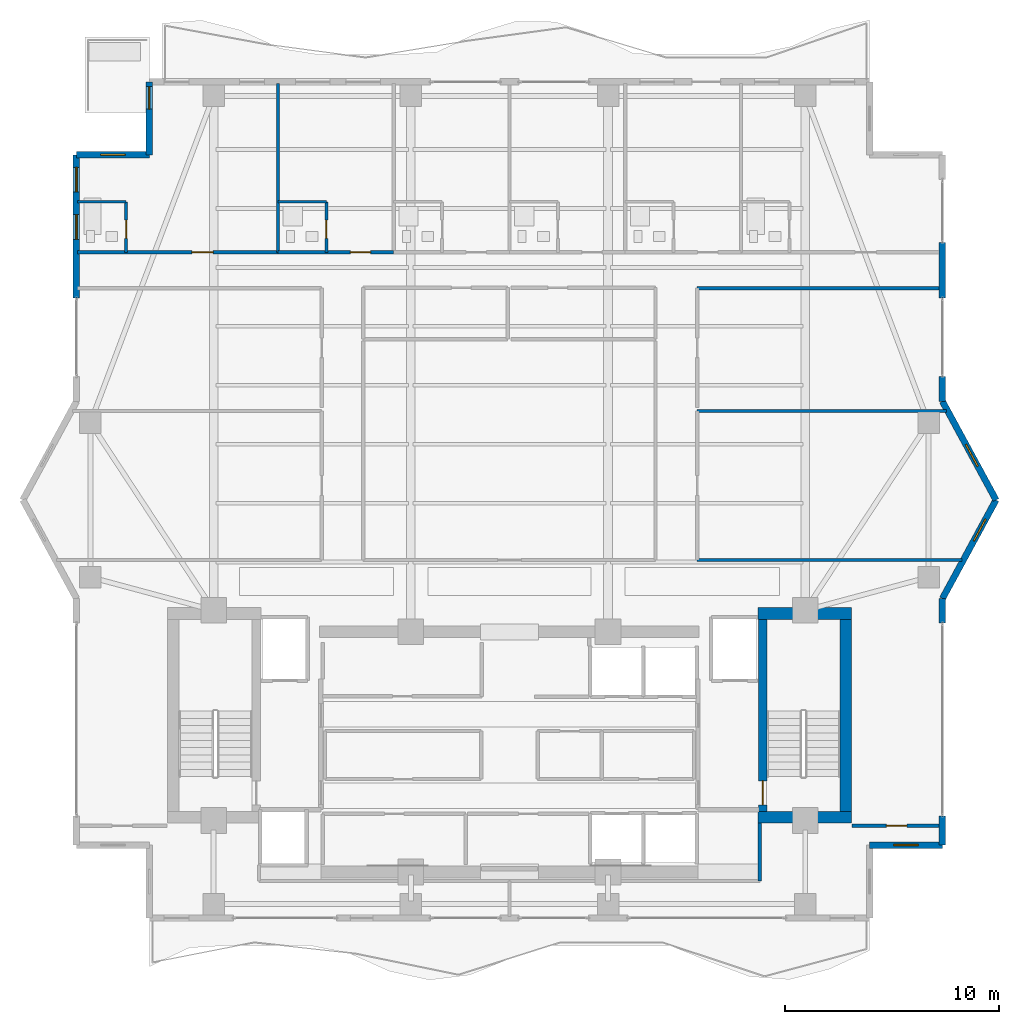
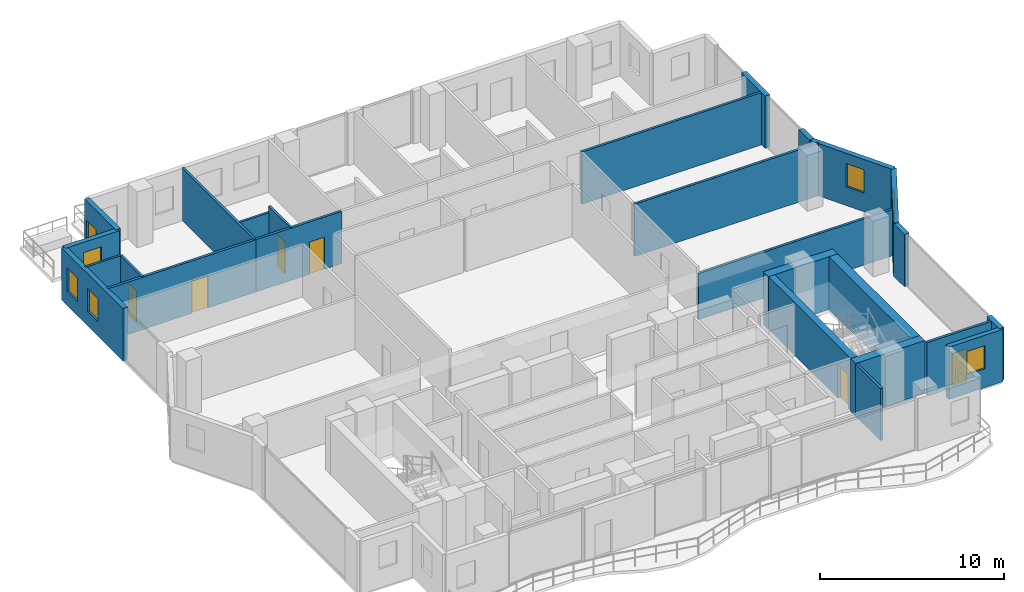
# One storey, part 19 of 24: 26 walls, 7 doors, 6 windows, 13 openings.
"""IFC4 building model written with IfcOpenShell, lengths in metres."""

from ifc_helpers import new_model, si_unit, direction, frame, frame_2d, origin, place, context, subcontext, project, spatial, rectangle, extrude, material, layer, layer_set, type_object, element, fill, save


model = new_model("IFC4")

# Units and contexts
model_context = context("Model", 3, precision=1e-05, world=origin(), true_north=direction((0.0, 1.0)))
body_context = subcontext(model_context, "Body", "Model", "MODEL_VIEW")
ifc_project = project(units=[si_unit("LENGTHUNIT", "METRE"), si_unit("AREAUNIT", "SQUARE_METRE"), si_unit("VOLUMEUNIT", "CUBIC_METRE"), si_unit("PLANEANGLEUNIT", "RADIAN"), si_unit("MASSUNIT", "GRAM", prefix="KILO")], contexts=[model_context])

# Site, building, storey
site_placement = place(None, origin())
site = spatial("IfcSite", under=ifc_project, at=site_placement, CompositionType="ELEMENT")
building_placement = place(site_placement, origin())
building = spatial("IfcBuilding", under=site, at=building_placement, Name="Zuhayl Quay Hotel", CompositionType="ELEMENT")
storey_placement = place(building_placement, frame((0.0, 0.0, 276.64990234375)))
storey = spatial("IfcBuildingStorey", under=building, at=storey_placement, Name="L70", CompositionType="ELEMENT", Elevation=276.64990234375)

# Walls
ifc_material_1 = material(Name="Concrete C50/60", Category="concrete")
ifc_layer_1 = layer(ifc_material_1, 0.550048828125, Name="Concrete C50/60", Category="concrete")
ifc_layer_set_1 = layer_set([ifc_layer_1], Name="Concrete C50/60")
wall_type_1 = type_object("IfcWallType", Name="WL_CORE_550", PredefinedType="SHEAR", material=ifc_layer_set_1)
wall_1_placement = place(storey_placement, frame((11.60009765625, 14.205078125, 0.0), z_axis=(0.0, 0.0, 1.0), x_axis=(1.0, 0.0, 0.0)))
element("IfcWall", 1, at=wall_1_placement, inside=storey, type_object=wall_type_1, Name="L70 Core Shear Wall CW_NE", PredefinedType="SHEAR", context=body_context, shape_type="SweptSolid", body=[
    extrude(rectangle(XDim=4.35986328125, YDim=0.550048828125, at=frame_2d((2.179931640625, 0.0))), origin(), (0.0, 0.0, 1.0), 3.510009765625),
])
wall_2_placement = place(storey_placement, frame((15.68505859375, 4.969970703125, 0.0), z_axis=(0.0, 0.0, 1.0), x_axis=(0.0, 1.0, 0.0)))
element("IfcWall", 2, at=wall_2_placement, inside=storey, type_object=wall_type_1, Name="L70 Core Shear Wall CW_E", PredefinedType="SHEAR", context=body_context, shape_type="SweptSolid", body=[
    extrude(rectangle(XDim=8.9599609375, YDim=0.550048828125, at=frame_2d((4.47998046875, 0.0))), origin(), (0.0, 0.0, 1.0), 3.510009765625),
])
wall_3_placement = place(storey_placement, frame((11.60009765625, 4.695068359375, 0.0), z_axis=(0.0, 0.0, 1.0), x_axis=(1.0, 0.0, 0.0)))
element("IfcWall", 3, at=wall_3_placement, inside=storey, type_object=wall_type_1, Name="L70 Core Shear Wall CW_SE", PredefinedType="SHEAR", context=body_context, shape_type="SweptSolid", body=[
    extrude(rectangle(XDim=4.35986328125, YDim=0.550048828125, at=frame_2d((2.179931640625, 0.0))), origin(), (0.0, 0.0, 1.0), 3.510009765625),
])

# Wall, openings, windows
ifc_material_2 = material(Name="Precast concrete C45/55", Category="concrete")
ifc_layer_2 = layer(ifc_material_2, 0.300048828125, Name="Precast concrete C45/55", Category="concrete")
ifc_layer_set_2 = layer_set([ifc_layer_2], Name="Precast concrete C45/55")
wall_type_2 = type_object("IfcWallType", Name="WL_EXT_300", PredefinedType="STANDARD", material=ifc_layer_set_2)
wall_4_placement = place(storey_placement, frame((-20.199951171875, 28.929931640625, 0.0), z_axis=(0.0, 0.0, 1.0), x_axis=(0.0, 1.0, 0.0)))
wall_4 = element("IfcWall", 4, at=wall_4_placement, inside=storey, type_object=wall_type_2, Name="L70 Exterior Precast Wall ENV_L70_E05_EW2", PredefinedType="STANDARD", context=body_context, shape_type="SweptSolid", body=[
    extrude(rectangle(XDim=6.670166015625, YDim=0.300048828125, at=frame_2d((3.3349609375, 0.0))), origin(), (0.0, 0.0, 1.0), 3.47998046875),
])
opening_1_placement = place(wall_4_placement, frame((2.72509765625, 0.0, 0.949951171875)))
opening_1 = element("IfcOpeningElement", 5, at=opening_1_placement, cuts=wall_4, Name="Opening W01N", PredefinedType="OPENING", context=body_context, shape_type="SweptSolid", body=[
    extrude(rectangle(XDim=1.14990234375, YDim=1.550048828125, at=frame_2d((0.574951171875, 0.77490234375))), frame((0.0, 0.159912109375, 0.0), z_axis=(0.0, -1.0, 0.0), x_axis=(1.0, 0.0, 0.0)), (0.0, 0.0, 1.0), 0.320068359375),
])
opening_2_placement = place(wall_4_placement, frame((4.93994140625, 0.0, 0.949951171875)))
opening_2 = element("IfcOpeningElement", 6, at=opening_2_placement, cuts=wall_4, Name="Opening W01N", PredefinedType="OPENING", context=body_context, shape_type="SweptSolid", body=[
    extrude(rectangle(XDim=1.14990234375, YDim=1.550048828125, at=frame_2d((0.574951171875, 0.77490234375))), frame((0.0, 0.159912109375, 0.0), z_axis=(0.0, -1.0, 0.0), x_axis=(1.0, 0.0, 0.0)), (0.0, 0.0, 1.0), 0.320068359375),
])
ifc_material_3 = material(Name="Dark Ceramic-Fritted Solar Glass", Category="glass")
window_type = type_object("IfcWindowType", Name="WN_NOTCH_1350", PartitioningType="SINGLE_PANEL", PredefinedType="WINDOW", material=ifc_material_3)
window_1_placement = place(opening_1_placement, origin())
window_1 = element("IfcWindow", 7, at=window_1_placement, inside=storey, type_object=window_type, Name="L70 Operable Facade Window 2-1", OverallHeight=1.550048828125, OverallWidth=1.14990234375, PartitioningType="SINGLE_PANEL", PredefinedType="WINDOW", context=body_context, shape_type="SweptSolid", body=[
    extrude(rectangle(XDim=1.14990234375, YDim=1.550048828125, at=frame_2d((0.574951171875, 0.77490234375))), frame((0.0, 0.030029296875, 0.0), z_axis=(0.0, -1.0, 0.0), x_axis=(1.0, 0.0, 0.0)), (0.0, 0.0, 1.0), 0.06005859375),
])
fill(opening_1, window_1)
window_2_placement = place(opening_2_placement, origin())
window_2 = element("IfcWindow", 8, at=window_2_placement, inside=storey, type_object=window_type, Name="L70 Operable Facade Window 2-2", OverallHeight=1.550048828125, OverallWidth=1.14990234375, PartitioningType="SINGLE_PANEL", PredefinedType="WINDOW", context=body_context, shape_type="SweptSolid", body=[
    extrude(rectangle(XDim=1.14990234375, YDim=1.550048828125, at=frame_2d((0.574951171875, 0.77490234375))), frame((0.0, 0.030029296875, 0.0), z_axis=(0.0, -1.0, 0.0), x_axis=(1.0, 0.0, 0.0)), (0.0, 0.0, 1.0), 0.06005859375),
])
fill(opening_2, window_2)

# Wall, opening, window
wall_5_placement = place(storey_placement, frame((-20.199951171875, 35.60009765625, 0.0), z_axis=(0.0, 0.0, 1.0), x_axis=(1.0, 0.0, 0.0)))
wall_5 = element("IfcWall", 9, at=wall_5_placement, inside=storey, type_object=wall_type_2, Name="L70 Exterior Precast Wall ENV_L70_EW06", PredefinedType="STANDARD", context=body_context, shape_type="SweptSolid", body=[
    extrude(rectangle(XDim=3.39990234375, YDim=0.300048828125, at=frame_2d((1.699951171875, 0.0))), origin(), (0.0, 0.0, 1.0), 3.47998046875),
])
opening_3_placement = place(wall_5_placement, frame((1.125, 0.0, 1.25)))
opening_3 = element("IfcOpeningElement", 10, at=opening_3_placement, cuts=wall_5, Name="Opening W01N", PredefinedType="OPENING", context=body_context, shape_type="SweptSolid", body=[
    extrude(rectangle(XDim=1.14990234375, YDim=1.550048828125, at=frame_2d((0.574951171875, 0.77490234375))), frame((0.0, 0.159912109375, 0.0), z_axis=(0.0, -1.0, 0.0), x_axis=(1.0, 0.0, 0.0)), (0.0, 0.0, 1.0), 0.320068359375),
])
window_3_placement = place(opening_3_placement, origin())
window_3 = element("IfcWindow", 11, at=window_3_placement, inside=storey, type_object=window_type, Name="L70 Corner Notch Window 6", OverallHeight=1.550048828125, OverallWidth=1.14990234375, PartitioningType="SINGLE_PANEL", PredefinedType="WINDOW", context=body_context, shape_type="SweptSolid", body=[
    extrude(rectangle(XDim=1.14990234375, YDim=1.550048828125, at=frame_2d((0.574951171875, 0.77490234375))), frame((0.0, 0.030029296875, 0.0), z_axis=(0.0, -1.0, 0.0), x_axis=(1.0, 0.0, 0.0)), (0.0, 0.0, 1.0), 0.06005859375),
])
fill(opening_3, window_3)

# Wall, opening, door
wall_6_placement = place(storey_placement, frame((-16.800048828125, 35.60009765625, 0.0), z_axis=(0.0, 0.0, 1.0), x_axis=(0.0, 1.0, 0.0)))
wall_6 = element("IfcWall", 12, at=wall_6_placement, inside=storey, type_object=wall_type_2, Name="L70 Exterior Precast Wall ENV_L70_SP_NW", PredefinedType="STANDARD", context=body_context, shape_type="SweptSolid", body=[
    extrude(rectangle(XDim=3.39990234375, YDim=0.300048828125, at=frame_2d((1.699951171875, 0.0))), origin(), (0.0, 0.0, 1.0), 3.47998046875),
])
opening_4_placement = place(wall_6_placement, frame((2.1298828125, 0.0, 0.0)))
opening_4 = element("IfcOpeningElement", 13, at=opening_4_placement, cuts=wall_6, Name="Opening DG1", PredefinedType="OPENING", context=body_context, shape_type="SweptSolid", body=[
    extrude(rectangle(XDim=1.050048828125, YDim=2.199951171875, at=frame_2d((0.52490234375, 1.10009765625))), frame((0.0, 0.159912109375, 0.0), z_axis=(0.0, -1.0, 0.0), x_axis=(1.0, 0.0, 0.0)), (0.0, 0.0, 1.0), 0.320068359375),
])
ifc_material_4 = material(Name="Anodised Aluminium and Dark Solar Glass", Category="aluminium")
door_type_1 = type_object("IfcDoorType", Name="DR_EXT_TERR_1050", OperationType="NOTDEFINED", PredefinedType="DOOR", material=ifc_material_4)
door_1_placement = place(opening_4_placement, origin())
door_1 = element("IfcDoor", 14, at=door_1_placement, inside=storey, type_object=door_type_1, Name="L70 Spiral Sky-Terrace NW Access Door", OperationType="SINGLE_SWING_LEFT", OverallHeight=2.199951171875, OverallWidth=1.050048828125, PredefinedType="DOOR", context=body_context, shape_type="SweptSolid", body=[
    extrude(rectangle(XDim=1.050048828125, YDim=2.199951171875, at=frame_2d((0.52490234375, 1.10009765625))), frame((0.0, 0.02490234375, 0.0), z_axis=(0.0, -1.0, 0.0), x_axis=(1.0, 0.0, 0.0)), (0.0, 0.0, 1.0), 0.050048828125),
])
fill(opening_4, door_1)

# Walls
wall_7_placement = place(storey_placement, frame((20.199951171875, 31.5, 0.0), z_axis=(0.0, 0.0, 1.0), x_axis=(0.0, -1.0, 0.0)))
element("IfcWall", 15, at=wall_7_placement, inside=storey, type_object=wall_type_2, Name="L70 Exterior Precast Wall ENV_L70_E11_EW2", PredefinedType="STANDARD", context=body_context, shape_type="SweptSolid", body=[
    extrude(rectangle(XDim=2.570068359375, YDim=0.300048828125, at=frame_2d((1.28515625, 0.0))), origin(), (0.0, 0.0, 1.0), 3.47998046875),
])
wall_8_placement = place(storey_placement, frame((20.199951171875, 25.25, 0.0), z_axis=(0.0, 0.0, 1.0), x_axis=(0.0, -1.0, 0.0)))
element("IfcWall", 16, at=wall_8_placement, inside=storey, type_object=wall_type_2, Name="L70 Exterior Precast Wall ENV_L70_E11_EW3", PredefinedType="STANDARD", context=body_context, shape_type="SweptSolid", body=[
    extrude(rectangle(XDim=1.14990234375, YDim=0.300048828125, at=frame_2d((0.574951171875, 0.0))), origin(), (0.0, 0.0, 1.0), 3.47998046875),
])

# Wall, opening, window
wall_9_placement = place(storey_placement, frame((20.199951171875, 24.10009765625, 0.0), z_axis=(0.0, 0.0, 1.0), x_axis=(0.477505494629, -0.878628762675, 0.0)))
wall_9 = element("IfcWall", 17, at=wall_9_placement, inside=storey, type_object=wall_type_2, Name="L70 Exterior Precast Wall ENV_L70_EW12", PredefinedType="STANDARD", context=body_context, shape_type="SweptSolid", body=[
    extrude(rectangle(XDim=5.235595703125, YDim=0.300048828125, at=frame_2d((2.61767578125, 0.0))), origin(), (0.0, 0.0, 1.0), 3.47998046875),
])
opening_5_placement = place(wall_9_placement, frame((2.29443359375, 0.0, 1.25)))
opening_5 = element("IfcOpeningElement", 18, at=opening_5_placement, cuts=wall_9, Name="Opening W01N", PredefinedType="OPENING", context=body_context, shape_type="SweptSolid", body=[
    extrude(rectangle(XDim=1.14990234375, YDim=1.550048828125, at=frame_2d((0.574951171875, 0.77490234375))), frame((0.0, 0.159912109375, 0.0), z_axis=(0.0, -1.0, 0.0), x_axis=(1.0, 0.0, 0.0)), (0.0, 0.0, 1.0), 0.320068359375),
])
window_4_placement = place(opening_5_placement, origin())
window_4 = element("IfcWindow", 19, at=window_4_placement, inside=storey, type_object=window_type, Name="L70 Corner Notch Window 12", OverallHeight=1.550048828125, OverallWidth=1.14990234375, PartitioningType="SINGLE_PANEL", PredefinedType="WINDOW", context=body_context, shape_type="SweptSolid", body=[
    extrude(rectangle(XDim=1.14990234375, YDim=1.550048828125, at=frame_2d((0.574951171875, 0.77490234375))), frame((0.0, 0.030029296875, 0.0), z_axis=(0.0, -1.0, 0.0), x_axis=(1.0, 0.0, 0.0)), (0.0, 0.0, 1.0), 0.06005859375),
])
fill(opening_5, window_4)

wall_10_placement = place(storey_placement, frame((22.699951171875, 19.5, 0.0), z_axis=(0.0, 0.0, 1.0), x_axis=(-0.477505494629, -0.878628762675, 0.0)))
wall_10 = element("IfcWall", 20, at=wall_10_placement, inside=storey, type_object=wall_type_2, Name="L70 Exterior Precast Wall ENV_L70_EW13", PredefinedType="STANDARD", context=body_context, shape_type="SweptSolid", body=[
    extrude(rectangle(XDim=5.235595703125, YDim=0.300048828125, at=frame_2d((2.61767578125, 0.0))), origin(), (0.0, 0.0, 1.0), 3.47998046875),
])
opening_6_placement = place(wall_10_placement, frame((1.022705078125, 0.0, 1.25)))
opening_6 = element("IfcOpeningElement", 21, at=opening_6_placement, cuts=wall_10, Name="Opening W01N", PredefinedType="OPENING", context=body_context, shape_type="SweptSolid", body=[
    extrude(rectangle(XDim=1.14990234375, YDim=1.550048828125, at=frame_2d((0.574951171875, 0.77490234375))), frame((0.0, 0.159912109375, 0.0), z_axis=(0.0, -1.0, 0.0), x_axis=(1.0, 0.0, 0.0)), (0.0, 0.0, 1.0), 0.320068359375),
])
window_5_placement = place(opening_6_placement, origin())
window_5 = element("IfcWindow", 22, at=window_5_placement, inside=storey, type_object=window_type, Name="L70 Corner Notch Window 13", OverallHeight=1.550048828125, OverallWidth=1.14990234375, PartitioningType="SINGLE_PANEL", PredefinedType="WINDOW", context=body_context, shape_type="SweptSolid", body=[
    extrude(rectangle(XDim=1.14990234375, YDim=1.550048828125, at=frame_2d((0.574951171875, 0.77490234375))), frame((0.0, 0.030029296875, 0.0), z_axis=(0.0, -1.0, 0.0), x_axis=(1.0, 0.0, 0.0)), (0.0, 0.0, 1.0), 0.06005859375),
])
fill(opening_6, window_5)

# Walls
wall_11_placement = place(storey_placement, frame((20.199951171875, 14.89990234375, 0.0), z_axis=(0.0, 0.0, 1.0), x_axis=(0.0, -1.0, 0.0)))
element("IfcWall", 23, at=wall_11_placement, inside=storey, type_object=wall_type_2, Name="L70 Exterior Precast Wall ENV_L70_E14_EW1", PredefinedType="STANDARD", context=body_context, shape_type="SweptSolid", body=[
    extrude(rectangle(XDim=1.14990234375, YDim=0.300048828125, at=frame_2d((0.574951171875, 0.0))), origin(), (0.0, 0.0, 1.0), 3.47998046875),
])
wall_12_placement = place(storey_placement, frame((20.199951171875, 4.75, 0.0), z_axis=(0.0, 0.0, 1.0), x_axis=(0.0, -1.0, 0.0)))
element("IfcWall", 24, at=wall_12_placement, inside=storey, type_object=wall_type_2, Name="L70 Exterior Precast Wall ENV_L70_E14_EW2", PredefinedType="STANDARD", context=body_context, shape_type="SweptSolid", body=[
    extrude(rectangle(XDim=1.35009765625, YDim=0.300048828125, at=frame_2d((0.675048828125, 0.0))), origin(), (0.0, 0.0, 1.0), 3.47998046875),
])

# Wall, opening, window
wall_13_placement = place(storey_placement, frame((20.199951171875, 3.39990234375, 0.0), z_axis=(0.0, 0.0, 1.0), x_axis=(-1.0, 0.0, 0.0)))
wall_13 = element("IfcWall", 25, at=wall_13_placement, inside=storey, type_object=wall_type_2, Name="L70 Exterior Precast Wall ENV_L70_EW15", PredefinedType="STANDARD", context=body_context, shape_type="SweptSolid", body=[
    extrude(rectangle(XDim=3.39990234375, YDim=0.300048828125, at=frame_2d((1.699951171875, 0.0))), origin(), (0.0, 0.0, 1.0), 3.47998046875),
])
opening_7_placement = place(wall_13_placement, frame((1.125, 0.0, 1.25)))
opening_7 = element("IfcOpeningElement", 26, at=opening_7_placement, cuts=wall_13, Name="Opening W01N", PredefinedType="OPENING", context=body_context, shape_type="SweptSolid", body=[
    extrude(rectangle(XDim=1.14990234375, YDim=1.550048828125, at=frame_2d((0.574951171875, 0.77490234375))), frame((0.0, 0.159912109375, 0.0), z_axis=(0.0, -1.0, 0.0), x_axis=(1.0, 0.0, 0.0)), (0.0, 0.0, 1.0), 0.320068359375),
])
window_6_placement = place(opening_7_placement, origin())
window_6 = element("IfcWindow", 27, at=window_6_placement, inside=storey, type_object=window_type, Name="L70 Corner Notch Window 15", OverallHeight=1.550048828125, OverallWidth=1.14990234375, PartitioningType="SINGLE_PANEL", PredefinedType="WINDOW", context=body_context, shape_type="SweptSolid", body=[
    extrude(rectangle(XDim=1.14990234375, YDim=1.550048828125, at=frame_2d((0.574951171875, 0.77490234375))), frame((0.0, 0.030029296875, 0.0), z_axis=(0.0, -1.0, 0.0), x_axis=(1.0, 0.0, 0.0)), (0.0, 0.0, 1.0), 0.06005859375),
])
fill(opening_7, window_6)

# Walls
ifc_material_5 = material(Name="Acoustic Gypsum Partition STC-58")
ifc_layer_3 = layer(ifc_material_5, 0.14990234375, Name="Acoustic Gypsum Partition STC-58")
ifc_layer_set_3 = layer_set([ifc_layer_3], Name="Acoustic Gypsum Partition STC-58")
wall_type_3 = type_object("IfcWallType", Name="WL_PART_150", PredefinedType="PARTITIONING", material=ifc_layer_set_3)
wall_14_placement = place(storey_placement, frame((11.679931640625, 1.719970703125, 0.0), z_axis=(0.0, 0.0, 1.0), x_axis=(0.0, 1.0, 0.0)))
element("IfcWall", 28, at=wall_14_placement, inside=storey, type_object=wall_type_3, Name="L70 Partition IW_L70_Z4_SUN_SE_IN", PredefinedType="PARTITIONING", context=body_context, shape_type="SweptSolid", body=[
    extrude(rectangle(XDim=2.699951171875, YDim=0.14990234375, at=frame_2d((1.35009765625, 0.0))), origin(), (0.0, 0.0, 1.0), 3.47998046875),
])
wall_15_placement = place(storey_placement, frame((-10.800048828125, 31.050048828125, 0.0), z_axis=(0.0, 0.0, 1.0), x_axis=(0.0, 1.0, 0.0)))
element("IfcWall", 29, at=wall_15_placement, inside=storey, type_object=wall_type_3, Name="L70 Partition IW_L70_NU01_E", PredefinedType="PARTITIONING", context=body_context, shape_type="SweptSolid", body=[
    extrude(rectangle(XDim=7.869873046875, YDim=0.14990234375, at=frame_2d((3.93505859375, 0.0))), origin(), (0.0, 0.0, 1.0), 3.47998046875),
])
wall_16_placement = place(storey_placement, frame((8.760009765625, 16.699951171875, 0.0), z_axis=(0.0, 0.0, 1.0), x_axis=(1.0, 0.0, 0.0)))
element("IfcWall", 30, at=wall_16_placement, inside=storey, type_object=wall_type_3, Name="L70 Partition IW_L70_Z4_V4E1_S", PredefinedType="PARTITIONING", context=body_context, shape_type="SweptSolid", body=[
    extrude(rectangle(XDim=12.3583984375, YDim=0.14990234375, at=frame_2d((6.17919921875, 0.0))), origin(), (0.0, 0.0, 1.0), 3.076171875),
])
wall_17_placement = place(storey_placement, frame((8.760009765625, 23.64990234375, 0.0), z_axis=(0.0, 0.0, 1.0), x_axis=(1.0, 0.0, 0.0)))
element("IfcWall", 31, at=wall_17_placement, inside=storey, type_object=wall_type_3, Name="L70 Partition IW_L70_Z4_V4E1_N", PredefinedType="PARTITIONING", context=body_context, shape_type="SweptSolid", body=[
    extrude(rectangle(XDim=11.62451171875, YDim=0.14990234375, at=frame_2d((5.812255859375, 0.0))), origin(), (0.0, 0.0, 1.0), 3.47998046875),
])
wall_18_placement = place(storey_placement, frame((8.760009765625, 29.3798828125, 0.0), z_axis=(0.0, 0.0, 1.0), x_axis=(1.0, 0.0, 0.0)))
element("IfcWall", 32, at=wall_18_placement, inside=storey, type_object=wall_type_3, Name="L70 Partition IW_L70_Z4_V4E2_N", PredefinedType="PARTITIONING", context=body_context, shape_type="SweptSolid", body=[
    extrude(rectangle(XDim=11.3798828125, YDim=0.14990234375, at=frame_2d((5.68994140625, 0.0))), origin(), (0.0, 0.0, 1.0), 3.47998046875),
])

# Wall, opening, door
ifc_layer_4 = layer(ifc_material_5, 0.159912109375, Name="Acoustic Gypsum Partition STC-58")
ifc_layer_set_4 = layer_set([ifc_layer_4], Name="Acoustic Gypsum Partition STC-58")
wall_type_4 = type_object("IfcWallType", Name="WL_PART_CORR_160", PredefinedType="PARTITIONING", material=ifc_layer_set_4)
wall_19_placement = place(storey_placement, frame((15.97998046875, 4.300048828125, 0.0), z_axis=(0.0, 0.0, 1.0), x_axis=(1.0, 0.0, 0.0)))
wall_19 = element("IfcWall", 33, at=wall_19_placement, inside=storey, type_object=wall_type_4, Name="L70 Partition IW_L70_Z4_SUN_SE_N", PredefinedType="PARTITIONING", context=body_context, shape_type="SweptSolid", body=[
    extrude(rectangle(XDim=4.159912109375, YDim=0.159912109375, at=frame_2d((2.080078125, 0.0))), origin(), (0.0, 0.0, 1.0), 3.47998046875),
])
opening_8_placement = place(wall_19_placement, frame((1.60498046875, 0.0, 0.0)))
opening_8 = element("IfcOpeningElement", 34, at=opening_8_placement, cuts=wall_19, Name="Opening D03", PredefinedType="OPENING", context=body_context, shape_type="SweptSolid", body=[
    extrude(rectangle(XDim=0.949951171875, YDim=2.14990234375, at=frame_2d((0.47509765625, 1.074951171875))), frame((0.0, 0.08984375, 0.0), z_axis=(0.0, -1.0, 0.0), x_axis=(1.0, 0.0, 0.0)), (0.0, 0.0, 1.0), 0.179931640625),
])
ifc_material_6 = material(Name="Solid Walnut Acoustic Fire Door")
door_type_2 = type_object("IfcDoorType", Name="DR_SUITE_950", OperationType="NOTDEFINED", PredefinedType="DOOR", material=ifc_material_6)
door_2_placement = place(opening_8_placement, origin())
door_2 = element("IfcDoor", 35, at=door_2_placement, inside=storey, type_object=door_type_2, Name="L70 Sunset Salon SE Door", OperationType="SINGLE_SWING_RIGHT", OverallHeight=2.14990234375, OverallWidth=0.949951171875, PredefinedType="DOOR", context=body_context, shape_type="SweptSolid", body=[
    extrude(rectangle(XDim=0.949951171875, YDim=2.14990234375, at=frame_2d((0.47509765625, 1.074951171875))), frame((0.0, 0.02490234375, 0.0), z_axis=(0.0, -1.0, 0.0), x_axis=(1.0, 0.0, 0.0)), (0.0, 0.0, 1.0), 0.050048828125),
])
fill(opening_8, door_2)

wall_20_placement = place(storey_placement, frame((-20.139892578125, 31.050048828125, 0.0), z_axis=(0.0, 0.0, 1.0), x_axis=(1.0, 0.0, 0.0)))
wall_20 = element("IfcWall", 36, at=wall_20_placement, inside=storey, type_object=wall_type_4, Name="L70 Partition IW_L70_NU01_COR", PredefinedType="PARTITIONING", context=body_context, shape_type="SweptSolid", body=[
    extrude(rectangle(XDim=9.33984375, YDim=0.159912109375, at=frame_2d((4.669921875, 0.0))), origin(), (0.0, 0.0, 1.0), 3.47998046875),
])
opening_9_placement = place(wall_20_placement, frame((5.320068359375, 0.0, 0.0)))
opening_9 = element("IfcOpeningElement", 37, at=opening_9_placement, cuts=wall_20, Name="Opening D03L", PredefinedType="OPENING", context=body_context, shape_type="SweptSolid", body=[
    extrude(rectangle(XDim=1.0, YDim=2.14990234375, at=frame_2d((0.5, 1.074951171875))), frame((0.0, 0.08984375, 0.0), z_axis=(0.0, -1.0, 0.0), x_axis=(1.0, 0.0, 0.0)), (0.0, 0.0, 1.0), 0.179931640625),
])
door_type_3 = type_object("IfcDoorType", Name="DR_SUITE_1000", OperationType="NOTDEFINED", PredefinedType="DOOR", material=ifc_material_6)
door_3_placement = place(opening_9_placement, origin())
door_3 = element("IfcDoor", 38, at=door_3_placement, inside=storey, type_object=door_type_3, Name="L70 Imperial Gulf Guest Room L70-01 Entrance Door", OperationType="SINGLE_SWING_RIGHT", OverallHeight=2.14990234375, OverallWidth=1.0, PredefinedType="DOOR", context=body_context, shape_type="SweptSolid", body=[
    extrude(rectangle(XDim=1.0, YDim=2.14990234375, at=frame_2d((0.5, 1.074951171875))), frame((0.0, 0.02490234375, 0.0), z_axis=(0.0, -1.0, 0.0), x_axis=(1.0, 0.0, 0.0)), (0.0, 0.0, 1.0), 0.050048828125),
])
fill(opening_9, door_3)

wall_21_placement = place(storey_placement, frame((-10.800048828125, 31.050048828125, 0.0), z_axis=(0.0, 0.0, 1.0), x_axis=(1.0, 0.0, 0.0)))
wall_21 = element("IfcWall", 39, at=wall_21_placement, inside=storey, type_object=wall_type_4, Name="L70 Partition IW_L70_NU02_COR", PredefinedType="PARTITIONING", context=body_context, shape_type="SweptSolid", body=[
    extrude(rectangle(XDim=5.400146484375, YDim=0.159912109375, at=frame_2d((2.7001953125, 0.0))), origin(), (0.0, 0.0, 1.0), 3.47998046875),
])
opening_10_placement = place(wall_21_placement, frame((3.375, 0.0, 0.0)))
opening_10 = element("IfcOpeningElement", 40, at=opening_10_placement, cuts=wall_21, Name="Opening D03", PredefinedType="OPENING", context=body_context, shape_type="SweptSolid", body=[
    extrude(rectangle(XDim=0.949951171875, YDim=2.14990234375, at=frame_2d((0.47509765625, 1.074951171875))), frame((0.0, 0.08984375, 0.0), z_axis=(0.0, -1.0, 0.0), x_axis=(1.0, 0.0, 0.0)), (0.0, 0.0, 1.0), 0.179931640625),
])
door_4_placement = place(opening_10_placement, origin())
door_4 = element("IfcDoor", 41, at=door_4_placement, inside=storey, type_object=door_type_2, Name="L70 Imperial Gulf Guest Room L70-02 Entrance Door", OperationType="SINGLE_SWING_RIGHT", OverallHeight=2.14990234375, OverallWidth=0.949951171875, PredefinedType="DOOR", context=body_context, shape_type="SweptSolid", body=[
    extrude(rectangle(XDim=0.949951171875, YDim=2.14990234375, at=frame_2d((0.47509765625, 1.074951171875))), frame((0.0, 0.02490234375, 0.0), z_axis=(0.0, -1.0, 0.0), x_axis=(1.0, 0.0, 0.0)), (0.0, 0.0, 1.0), 0.050048828125),
])
fill(opening_10, door_4)

ifc_material_7 = material(Name="Moisture-Resistant Sanitarychase Gypsum")
ifc_layer_5 = layer(ifc_material_7, 0.135009765625, Name="Moisture-Resistant Sanitarychase Gypsum")
ifc_layer_set_5 = layer_set([ifc_layer_5], Name="Moisture-Resistant Sanitarychase Gypsum")
wall_type_5 = type_object("IfcWallType", Name="WL_PART_PLUMB_150", PredefinedType="PLUMBINGWALL", material=ifc_layer_set_5)
wall_22_placement = place(storey_placement, frame((-17.8798828125, 31.050048828125, 0.0), z_axis=(0.0, 0.0, 1.0), x_axis=(0.0, 1.0, 0.0)))
wall_22 = element("IfcWall", 42, at=wall_22_placement, inside=storey, type_object=wall_type_5, Name="L70 Partition IW_L70_NU01_BE", PredefinedType="PLUMBINGWALL", context=body_context, shape_type="SweptSolid", body=[
    extrude(rectangle(XDim=2.35986328125, YDim=0.135009765625, at=frame_2d((1.179931640625, 0.0))), origin(), (0.0, 0.0, 1.0), 3.47998046875),
])
opening_11_placement = place(wall_22_placement, frame((0.64990234375, 0.0, 0.0)))
opening_11 = element("IfcOpeningElement", 43, at=opening_11_placement, cuts=wall_22, Name="Opening D04", PredefinedType="OPENING", context=body_context, shape_type="SweptSolid", body=[
    extrude(rectangle(XDim=0.85009765625, YDim=2.10009765625, at=frame_2d((0.425048828125, 1.050048828125))), frame((0.0, 0.077392578125, 0.0), z_axis=(0.0, -1.0, 0.0), x_axis=(1.0, 0.0, 0.0)), (0.0, 0.0, 1.0), 0.155029296875),
])
ifc_material_8 = material(Name="Moisture-Resistant Walnut Veneer")
door_type_4 = type_object("IfcDoorType", Name="DR_BATH_850", OperationType="NOTDEFINED", PredefinedType="DOOR", material=ifc_material_8)
door_5_placement = place(opening_11_placement, origin())
door_5 = element("IfcDoor", 44, at=door_5_placement, inside=storey, type_object=door_type_4, Name="L70 Imperial Gulf Guest Room L70-01 En-Suite Door", OperationType="SINGLE_SWING_LEFT", OverallHeight=2.10009765625, OverallWidth=0.85009765625, PredefinedType="DOOR", context=body_context, shape_type="SweptSolid", body=[
    extrude(rectangle(XDim=0.85009765625, YDim=2.10009765625, at=frame_2d((0.425048828125, 1.050048828125))), frame((0.0, 0.02490234375, 0.0), z_axis=(0.0, -1.0, 0.0), x_axis=(1.0, 0.0, 0.0)), (0.0, 0.0, 1.0), 0.050048828125),
])
fill(opening_11, door_5)

wall_23_placement = place(storey_placement, frame((-8.5400390625, 31.050048828125, 0.0), z_axis=(0.0, 0.0, 1.0), x_axis=(0.0, 1.0, 0.0)))
wall_23 = element("IfcWall", 45, at=wall_23_placement, inside=storey, type_object=wall_type_5, Name="L70 Partition IW_L70_NU02_BE", PredefinedType="PLUMBINGWALL", context=body_context, shape_type="SweptSolid", body=[
    extrude(rectangle(XDim=2.35986328125, YDim=0.135009765625, at=frame_2d((1.179931640625, 0.0))), origin(), (0.0, 0.0, 1.0), 3.47998046875),
])
opening_12_placement = place(wall_23_placement, frame((0.64990234375, 0.0, 0.0)))
opening_12 = element("IfcOpeningElement", 46, at=opening_12_placement, cuts=wall_23, Name="Opening D04", PredefinedType="OPENING", context=body_context, shape_type="SweptSolid", body=[
    extrude(rectangle(XDim=0.85009765625, YDim=2.10009765625, at=frame_2d((0.425048828125, 1.050048828125))), frame((0.0, 0.077392578125, 0.0), z_axis=(0.0, -1.0, 0.0), x_axis=(1.0, 0.0, 0.0)), (0.0, 0.0, 1.0), 0.155029296875),
])
door_6_placement = place(opening_12_placement, origin())
door_6 = element("IfcDoor", 47, at=door_6_placement, inside=storey, type_object=door_type_4, Name="L70 Imperial Gulf Guest Room L70-02 En-Suite Door", OperationType="SINGLE_SWING_LEFT", OverallHeight=2.10009765625, OverallWidth=0.85009765625, PredefinedType="DOOR", context=body_context, shape_type="SweptSolid", body=[
    extrude(rectangle(XDim=0.85009765625, YDim=2.10009765625, at=frame_2d((0.425048828125, 1.050048828125))), frame((0.0, 0.02490234375, 0.0), z_axis=(0.0, -1.0, 0.0), x_axis=(1.0, 0.0, 0.0)), (0.0, 0.0, 1.0), 0.050048828125),
])
fill(opening_12, door_6)

# Walls
wall_24_placement = place(storey_placement, frame((-20.139892578125, 33.409912109375, 0.0), z_axis=(0.0, 0.0, 1.0), x_axis=(1.0, 0.0, 0.0)))
element("IfcWall", 48, at=wall_24_placement, inside=storey, type_object=wall_type_5, Name="L70 Partition IW_L70_NU01_BN", PredefinedType="PLUMBINGWALL", context=body_context, shape_type="SweptSolid", body=[
    extrude(rectangle(XDim=2.260009765625, YDim=0.135009765625, at=frame_2d((1.1298828125, 0.0))), origin(), (0.0, 0.0, 1.0), 3.47998046875),
])
wall_25_placement = place(storey_placement, frame((-10.800048828125, 33.409912109375, 0.0), z_axis=(0.0, 0.0, 1.0), x_axis=(1.0, 0.0, 0.0)))
element("IfcWall", 49, at=wall_25_placement, inside=storey, type_object=wall_type_5, Name="L70 Partition IW_L70_NU02_BN", PredefinedType="PLUMBINGWALL", context=body_context, shape_type="SweptSolid", body=[
    extrude(rectangle(XDim=2.260009765625, YDim=0.135009765625, at=frame_2d((1.1298828125, 0.0))), origin(), (0.0, 0.0, 1.0), 3.076171875),
])

# Wall, opening, door
ifc_material_9 = material(Name="Concrete C60/75", Category="concrete")
ifc_layer_6 = layer(ifc_material_9, 0.39990234375, Name="Concrete C60/75", Category="concrete")
ifc_layer_set_6 = layer_set([ifc_layer_6], Name="Concrete C60/75")
wall_type_6 = type_object("IfcWallType", Name="WL_STAIR_400", PredefinedType="SHEAR", material=ifc_layer_set_6)
wall_26_placement = place(storey_placement, frame((11.820068359375, 13.929931640625, 0.0), z_axis=(0.0, 0.0, 1.0), x_axis=(0.0, -1.0, 0.0)))
wall_26 = element("IfcWall", 50, at=wall_26_placement, inside=storey, type_object=wall_type_6, Name="L70 Core Shear Wall SW_ST2", PredefinedType="SHEAR", context=body_context, shape_type="SweptSolid", body=[
    extrude(rectangle(XDim=8.9599609375, YDim=0.39990234375, at=frame_2d((4.47998046875, 0.0))), origin(), (0.0, 0.0, 1.0), 3.510009765625),
])
opening_13_placement = place(wall_26_placement, frame((7.530029296875, 0.0, 0.0)))
opening_13 = element("IfcOpeningElement", 51, at=opening_13_placement, cuts=wall_26, Name="Opening D01", PredefinedType="OPENING", context=body_context, shape_type="SweptSolid", body=[
    extrude(rectangle(XDim=1.1201171875, YDim=2.219970703125, at=frame_2d((0.56005859375, 1.10986328125))), frame((0.0, 0.2099609375, 0.0), z_axis=(0.0, -1.0, 0.0), x_axis=(1.0, 0.0, 0.0)), (0.0, 0.0, 1.0), 0.419921875),
])
ifc_material_10 = material(Name="Steel ASTM A992 Grade 50", Category="steel")
door_type_5 = type_object("IfcDoorType", Name="DR_STAIR_90_1100", OperationType="NOTDEFINED", PredefinedType="DOOR", material=ifc_material_10)
door_7_placement = place(opening_13_placement, origin())
door_7 = element("IfcDoor", 52, at=door_7_placement, inside=storey, type_object=door_type_5, Name="L70 Smokeproof Exit Stair ST2 Door", OperationType="SINGLE_SWING_RIGHT", OverallHeight=2.219970703125, OverallWidth=1.1201171875, PredefinedType="DOOR", context=body_context, shape_type="SweptSolid", body=[
    extrude(rectangle(XDim=1.1201171875, YDim=2.219970703125, at=frame_2d((0.56005859375, 1.10986328125))), frame((0.0, 0.02490234375, 0.0), z_axis=(0.0, -1.0, 0.0), x_axis=(1.0, 0.0, 0.0)), (0.0, 0.0, 1.0), 0.050048828125),
])
fill(opening_13, door_7)

save(model, "model.ifc")
